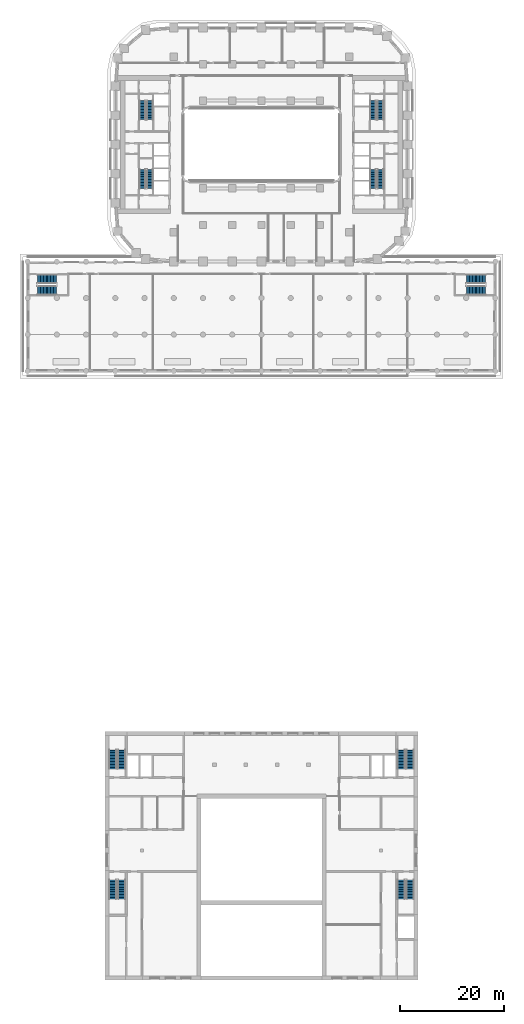
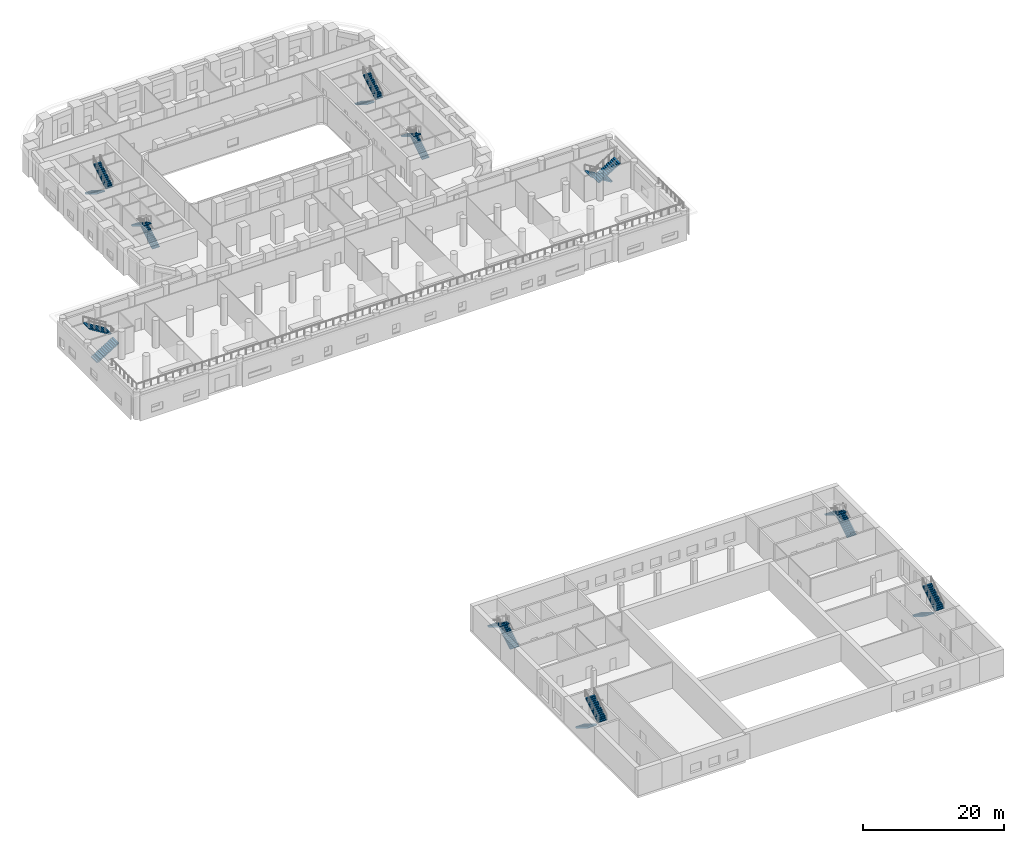
# One storey, part 14 of 23: 20 stair flights, 10 elements without a shape of their own.
"""IFC4 building model written with IfcOpenShell, lengths in metres."""

from ifc_helpers import new_model, si_unit, direction, frame, origin, place, context, subcontext, project, spatial, polyline, outline, extrude, material, type_object, element, aggregate, save


model = new_model("IFC4")

# Units and contexts
model_context = context("Model", 3, precision=1e-05, world=origin(), true_north=direction((0.0, 1.0)))
body_context = subcontext(model_context, "Body", "Model", "MODEL_VIEW")
ifc_project = project(units=[si_unit("LENGTHUNIT", "METRE"), si_unit("AREAUNIT", "SQUARE_METRE"), si_unit("VOLUMEUNIT", "CUBIC_METRE"), si_unit("PLANEANGLEUNIT", "RADIAN"), si_unit("MASSUNIT", "GRAM", prefix="KILO")], contexts=[model_context])

# Site, building, storey
site_placement = place(None, origin())
site = spatial("IfcSite", under=ifc_project, at=site_placement, CompositionType="ELEMENT")
building_placement = place(site_placement, origin())
building = spatial("IfcBuilding", under=site, at=building_placement, Name="Kiln Ring Residences", CompositionType="ELEMENT")
storey_placement = place(building_placement, frame((0.0, 0.0, 16.10009765625)))
storey = spatial("IfcBuildingStorey", under=building, at=storey_placement, Name="L03", CompositionType="ELEMENT", Elevation=16.10009765625)

# Stair, stair flights
ifc_material_1 = material(Name="Concrete C40/50", Category="concrete")
stair_type_1 = type_object("IfcStairType", Name="CORE-STAIR", PredefinedType="HALF_TURN_STAIR", material=ifc_material_1)
placement = place(storey_placement, origin())
stair_1 = element("IfcStair", 1, at=placement, inside=storey, type_object=stair_type_1, Name="L03 stair W-STN", PredefinedType="HALF_TURN_STAIR")
ifc_material_2 = material(Name="Concrete C40/50", Category="concrete")
stair_flight_type_1 = type_object("IfcStairFlightType", Name="CORE-STAIR-FLIGHT", PredefinedType="STRAIGHT", material=ifc_material_2)
stair_flight_1_placement = place(storey_placement, frame((-22.800048828125, 8.39990234375, 0.0), z_axis=(0.0, 0.0, 1.0), x_axis=(0.0, -1.0, 0.0)))
stair_flight_1 = element("IfcStairFlight", 2, at=stair_flight_1_placement, type_object=stair_flight_type_1, Name="W-STN flight 1", NumberOfRisers=14, NumberOfTreads=13, PredefinedType="STRAIGHT", RiserHeight=0.171428571, TreadLength=0.28, context=body_context, shape_type="SweptSolid", body=[
    extrude(outline(polyline([(0.0, 0.0), (0.0, 0.17138671875), (0.280029296875, 0.17138671875), (0.280029296875, 0.3427734375), (0.56005859375, 0.3427734375), (0.56005859375, 0.514404296875), (0.840087890625, 0.514404296875), (0.840087890625, 0.685791015625), (1.1201171875, 0.685791015625), (1.1201171875, 0.857177734375), (1.39990234375, 0.857177734375), (1.39990234375, 1.028564453125), (1.679931640625, 1.028564453125), (1.679931640625, 1.199951171875), (1.9599609375, 1.199951171875), (1.9599609375, 1.371337890625), (2.239990234375, 1.371337890625), (2.239990234375, 1.54296875), (2.52001953125, 1.54296875), (2.52001953125, 1.71435546875), (2.800048828125, 1.71435546875), (2.800048828125, 1.8857421875), (3.080078125, 1.8857421875), (3.080078125, 2.05712890625), (3.360107421875, 2.05712890625), (3.360107421875, 2.228515625), (3.639892578125, 2.228515625), (3.639892578125, 2.39990234375), (3.639892578125, 2.052734375), (0.287109375, 0.0), (0.0, 0.0)])), frame((0.0, 0.60009765625, 0.0), z_axis=(0.0, -1.0, 0.0), x_axis=(1.0, 0.0, 0.0)), (0.0, 0.0, 1.0), 1.199951171875),
])
stair_flight_2_placement = place(storey_placement, frame((-21.39990234375, 4.760009765625, 2.39990234375), z_axis=(0.0, 0.0, 1.0), x_axis=(0.0, 1.0, 0.0)))
stair_flight_2 = element("IfcStairFlight", 3, at=stair_flight_2_placement, type_object=stair_flight_type_1, Name="W-STN flight 2", NumberOfRisers=14, NumberOfTreads=13, PredefinedType="STRAIGHT", RiserHeight=0.171428571, TreadLength=0.28, context=body_context, shape_type="SweptSolid", body=[
    extrude(outline(polyline([(0.0, 0.0), (0.0, 0.17138671875), (0.280029296875, 0.17138671875), (0.280029296875, 0.3427734375), (0.56005859375, 0.3427734375), (0.56005859375, 0.514404296875), (0.840087890625, 0.514404296875), (0.840087890625, 0.685791015625), (1.1201171875, 0.685791015625), (1.1201171875, 0.857177734375), (1.39990234375, 0.857177734375), (1.39990234375, 1.028564453125), (1.679931640625, 1.028564453125), (1.679931640625, 1.199951171875), (1.9599609375, 1.199951171875), (1.9599609375, 1.371337890625), (2.239990234375, 1.371337890625), (2.239990234375, 1.54296875), (2.52001953125, 1.54296875), (2.52001953125, 1.71435546875), (2.800048828125, 1.71435546875), (2.800048828125, 1.8857421875), (3.080078125, 1.8857421875), (3.080078125, 2.05712890625), (3.360107421875, 2.05712890625), (3.360107421875, 2.228515625), (3.639892578125, 2.228515625), (3.639892578125, 2.39990234375), (3.639892578125, 2.052734375), (0.287109375, 0.0), (0.0, 0.0)])), frame((0.0, 0.60009765625, 0.0), z_axis=(0.0, -1.0, 0.0), x_axis=(1.0, 0.0, 0.0)), (0.0, 0.0, 1.0), 1.199951171875),
])
aggregate(stair_1, [stair_flight_1, stair_flight_2])

stair_2 = element("IfcStair", 4, at=placement, inside=storey, type_object=stair_type_1, Name="L03 stair W-STS", PredefinedType="HALF_TURN_STAIR")
stair_flight_3_placement = place(storey_placement, frame((-21.39990234375, -8.39990234375, 0.0), z_axis=(0.0, 0.0, 1.0), x_axis=(0.0, 1.0, 0.0)))
stair_flight_3 = element("IfcStairFlight", 5, at=stair_flight_3_placement, type_object=stair_flight_type_1, Name="W-STS flight 1", NumberOfRisers=14, NumberOfTreads=13, PredefinedType="STRAIGHT", RiserHeight=0.171428571, TreadLength=0.28, context=body_context, shape_type="SweptSolid", body=[
    extrude(outline(polyline([(0.0, 0.0), (0.0, 0.17138671875), (0.280029296875, 0.17138671875), (0.280029296875, 0.3427734375), (0.56005859375, 0.3427734375), (0.56005859375, 0.514404296875), (0.840087890625, 0.514404296875), (0.840087890625, 0.685791015625), (1.1201171875, 0.685791015625), (1.1201171875, 0.857177734375), (1.39990234375, 0.857177734375), (1.39990234375, 1.028564453125), (1.679931640625, 1.028564453125), (1.679931640625, 1.199951171875), (1.9599609375, 1.199951171875), (1.9599609375, 1.371337890625), (2.239990234375, 1.371337890625), (2.239990234375, 1.54296875), (2.52001953125, 1.54296875), (2.52001953125, 1.71435546875), (2.800048828125, 1.71435546875), (2.800048828125, 1.8857421875), (3.080078125, 1.8857421875), (3.080078125, 2.05712890625), (3.360107421875, 2.05712890625), (3.360107421875, 2.228515625), (3.639892578125, 2.228515625), (3.639892578125, 2.39990234375), (3.639892578125, 2.052734375), (0.287109375, 0.0), (0.0, 0.0)])), frame((0.0, 0.60009765625, 0.0), z_axis=(0.0, -1.0, 0.0), x_axis=(1.0, 0.0, 0.0)), (0.0, 0.0, 1.0), 1.199951171875),
])
stair_flight_4_placement = place(storey_placement, frame((-22.800048828125, -4.760009765625, 2.39990234375), z_axis=(0.0, 0.0, 1.0), x_axis=(0.0, -1.0, 0.0)))
stair_flight_4 = element("IfcStairFlight", 6, at=stair_flight_4_placement, type_object=stair_flight_type_1, Name="W-STS flight 2", NumberOfRisers=14, NumberOfTreads=13, PredefinedType="STRAIGHT", RiserHeight=0.171428571, TreadLength=0.28, context=body_context, shape_type="SweptSolid", body=[
    extrude(outline(polyline([(0.0, 0.0), (0.0, 0.17138671875), (0.280029296875, 0.17138671875), (0.280029296875, 0.3427734375), (0.56005859375, 0.3427734375), (0.56005859375, 0.514404296875), (0.840087890625, 0.514404296875), (0.840087890625, 0.685791015625), (1.1201171875, 0.685791015625), (1.1201171875, 0.857177734375), (1.39990234375, 0.857177734375), (1.39990234375, 1.028564453125), (1.679931640625, 1.028564453125), (1.679931640625, 1.199951171875), (1.9599609375, 1.199951171875), (1.9599609375, 1.371337890625), (2.239990234375, 1.371337890625), (2.239990234375, 1.54296875), (2.52001953125, 1.54296875), (2.52001953125, 1.71435546875), (2.800048828125, 1.71435546875), (2.800048828125, 1.8857421875), (3.080078125, 1.8857421875), (3.080078125, 2.05712890625), (3.360107421875, 2.05712890625), (3.360107421875, 2.228515625), (3.639892578125, 2.228515625), (3.639892578125, 2.39990234375), (3.639892578125, 2.052734375), (0.287109375, 0.0), (0.0, 0.0)])), frame((0.0, 0.60009765625, 0.0), z_axis=(0.0, -1.0, 0.0), x_axis=(1.0, 0.0, 0.0)), (0.0, 0.0, 1.0), 1.199951171875),
])
aggregate(stair_2, [stair_flight_3, stair_flight_4])

stair_3 = element("IfcStair", 7, at=placement, inside=storey, type_object=stair_type_1, Name="L03 stair E-STN", PredefinedType="HALF_TURN_STAIR")
stair_flight_5_placement = place(storey_placement, frame((21.39990234375, 8.39990234375, 0.0), z_axis=(0.0, 0.0, 1.0), x_axis=(0.0, -1.0, 0.0)))
stair_flight_5 = element("IfcStairFlight", 8, at=stair_flight_5_placement, type_object=stair_flight_type_1, Name="E-STN flight 1", NumberOfRisers=14, NumberOfTreads=13, PredefinedType="STRAIGHT", RiserHeight=0.171428571, TreadLength=0.28, context=body_context, shape_type="SweptSolid", body=[
    extrude(outline(polyline([(0.0, 0.0), (0.0, 0.17138671875), (0.280029296875, 0.17138671875), (0.280029296875, 0.3427734375), (0.56005859375, 0.3427734375), (0.56005859375, 0.514404296875), (0.840087890625, 0.514404296875), (0.840087890625, 0.685791015625), (1.1201171875, 0.685791015625), (1.1201171875, 0.857177734375), (1.39990234375, 0.857177734375), (1.39990234375, 1.028564453125), (1.679931640625, 1.028564453125), (1.679931640625, 1.199951171875), (1.9599609375, 1.199951171875), (1.9599609375, 1.371337890625), (2.239990234375, 1.371337890625), (2.239990234375, 1.54296875), (2.52001953125, 1.54296875), (2.52001953125, 1.71435546875), (2.800048828125, 1.71435546875), (2.800048828125, 1.8857421875), (3.080078125, 1.8857421875), (3.080078125, 2.05712890625), (3.360107421875, 2.05712890625), (3.360107421875, 2.228515625), (3.639892578125, 2.228515625), (3.639892578125, 2.39990234375), (3.639892578125, 2.052734375), (0.287109375, 0.0), (0.0, 0.0)])), frame((0.0, 0.60009765625, 0.0), z_axis=(0.0, -1.0, 0.0), x_axis=(1.0, 0.0, 0.0)), (0.0, 0.0, 1.0), 1.199951171875),
])
stair_flight_6_placement = place(storey_placement, frame((22.800048828125, 4.760009765625, 2.39990234375), z_axis=(0.0, 0.0, 1.0), x_axis=(0.0, 1.0, 0.0)))
stair_flight_6 = element("IfcStairFlight", 9, at=stair_flight_6_placement, type_object=stair_flight_type_1, Name="E-STN flight 2", NumberOfRisers=14, NumberOfTreads=13, PredefinedType="STRAIGHT", RiserHeight=0.171428571, TreadLength=0.28, context=body_context, shape_type="SweptSolid", body=[
    extrude(outline(polyline([(0.0, 0.0), (0.0, 0.17138671875), (0.280029296875, 0.17138671875), (0.280029296875, 0.3427734375), (0.56005859375, 0.3427734375), (0.56005859375, 0.514404296875), (0.840087890625, 0.514404296875), (0.840087890625, 0.685791015625), (1.1201171875, 0.685791015625), (1.1201171875, 0.857177734375), (1.39990234375, 0.857177734375), (1.39990234375, 1.028564453125), (1.679931640625, 1.028564453125), (1.679931640625, 1.199951171875), (1.9599609375, 1.199951171875), (1.9599609375, 1.371337890625), (2.239990234375, 1.371337890625), (2.239990234375, 1.54296875), (2.52001953125, 1.54296875), (2.52001953125, 1.71435546875), (2.800048828125, 1.71435546875), (2.800048828125, 1.8857421875), (3.080078125, 1.8857421875), (3.080078125, 2.05712890625), (3.360107421875, 2.05712890625), (3.360107421875, 2.228515625), (3.639892578125, 2.228515625), (3.639892578125, 2.39990234375), (3.639892578125, 2.052734375), (0.287109375, 0.0), (0.0, 0.0)])), frame((0.0, 0.60009765625, 0.0), z_axis=(0.0, -1.0, 0.0), x_axis=(1.0, 0.0, 0.0)), (0.0, 0.0, 1.0), 1.199951171875),
])
aggregate(stair_3, [stair_flight_5, stair_flight_6])

stair_4 = element("IfcStair", 10, at=placement, inside=storey, type_object=stair_type_1, Name="L03 stair E-STS", PredefinedType="HALF_TURN_STAIR")
stair_flight_7_placement = place(storey_placement, frame((22.800048828125, -8.39990234375, 0.0), z_axis=(0.0, 0.0, 1.0), x_axis=(0.0, 1.0, 0.0)))
stair_flight_7 = element("IfcStairFlight", 11, at=stair_flight_7_placement, type_object=stair_flight_type_1, Name="E-STS flight 1", NumberOfRisers=14, NumberOfTreads=13, PredefinedType="STRAIGHT", RiserHeight=0.171428571, TreadLength=0.28, context=body_context, shape_type="SweptSolid", body=[
    extrude(outline(polyline([(0.0, 0.0), (0.0, 0.17138671875), (0.280029296875, 0.17138671875), (0.280029296875, 0.3427734375), (0.56005859375, 0.3427734375), (0.56005859375, 0.514404296875), (0.840087890625, 0.514404296875), (0.840087890625, 0.685791015625), (1.1201171875, 0.685791015625), (1.1201171875, 0.857177734375), (1.39990234375, 0.857177734375), (1.39990234375, 1.028564453125), (1.679931640625, 1.028564453125), (1.679931640625, 1.199951171875), (1.9599609375, 1.199951171875), (1.9599609375, 1.371337890625), (2.239990234375, 1.371337890625), (2.239990234375, 1.54296875), (2.52001953125, 1.54296875), (2.52001953125, 1.71435546875), (2.800048828125, 1.71435546875), (2.800048828125, 1.8857421875), (3.080078125, 1.8857421875), (3.080078125, 2.05712890625), (3.360107421875, 2.05712890625), (3.360107421875, 2.228515625), (3.639892578125, 2.228515625), (3.639892578125, 2.39990234375), (3.639892578125, 2.052734375), (0.287109375, 0.0), (0.0, 0.0)])), frame((0.0, 0.60009765625, 0.0), z_axis=(0.0, -1.0, 0.0), x_axis=(1.0, 0.0, 0.0)), (0.0, 0.0, 1.0), 1.199951171875),
])
stair_flight_8_placement = place(storey_placement, frame((21.39990234375, -4.760009765625, 2.39990234375), z_axis=(0.0, 0.0, 1.0), x_axis=(0.0, -1.0, 0.0)))
stair_flight_8 = element("IfcStairFlight", 12, at=stair_flight_8_placement, type_object=stair_flight_type_1, Name="E-STS flight 2", NumberOfRisers=14, NumberOfTreads=13, PredefinedType="STRAIGHT", RiserHeight=0.171428571, TreadLength=0.28, context=body_context, shape_type="SweptSolid", body=[
    extrude(outline(polyline([(0.0, 0.0), (0.0, 0.17138671875), (0.280029296875, 0.17138671875), (0.280029296875, 0.3427734375), (0.56005859375, 0.3427734375), (0.56005859375, 0.514404296875), (0.840087890625, 0.514404296875), (0.840087890625, 0.685791015625), (1.1201171875, 0.685791015625), (1.1201171875, 0.857177734375), (1.39990234375, 0.857177734375), (1.39990234375, 1.028564453125), (1.679931640625, 1.028564453125), (1.679931640625, 1.199951171875), (1.9599609375, 1.199951171875), (1.9599609375, 1.371337890625), (2.239990234375, 1.371337890625), (2.239990234375, 1.54296875), (2.52001953125, 1.54296875), (2.52001953125, 1.71435546875), (2.800048828125, 1.71435546875), (2.800048828125, 1.8857421875), (3.080078125, 1.8857421875), (3.080078125, 2.05712890625), (3.360107421875, 2.05712890625), (3.360107421875, 2.228515625), (3.639892578125, 2.228515625), (3.639892578125, 2.39990234375), (3.639892578125, 2.052734375), (0.287109375, 0.0), (0.0, 0.0)])), frame((0.0, 0.60009765625, 0.0), z_axis=(0.0, -1.0, 0.0), x_axis=(1.0, 0.0, 0.0)), (0.0, 0.0, 1.0), 1.199951171875),
])
aggregate(stair_4, [stair_flight_7, stair_flight_8])

ifc_material_3 = material(Name="Concrete C40/50", Category="concrete")
stair_type_2 = type_object("IfcStairType", Name="Hall reinforced concrete stair", PredefinedType="HALF_TURN_STAIR", material=ifc_material_3)
stair_5 = element("IfcStair", 13, at=placement, inside=storey, type_object=stair_type_2, Name="L03 Hall stair ST1", PredefinedType="HALF_TURN_STAIR")
ifc_material_4 = material(Name="Concrete C40/50", Category="concrete")
stair_flight_type_2 = type_object("IfcStairFlightType", Name="Hall reinforced concrete stair flight", PredefinedType="STRAIGHT", material=ifc_material_4)
stair_flight_9_placement = place(storey_placement, frame((-26.800048828125, -119.550048828125, 0.0), z_axis=(0.0, 0.0, 1.0), x_axis=(0.0, 1.0, 0.0)))
stair_flight_9 = element("IfcStairFlight", 14, at=stair_flight_9_placement, type_object=stair_flight_type_2, Name="HALL.ST1 flight 1", NumberOfRisers=14, NumberOfTreads=13, PredefinedType="STRAIGHT", RiserHeight=0.171428571, TreadLength=0.28, context=body_context, shape_type="SweptSolid", body=[
    extrude(outline(polyline([(0.0, 0.0), (0.0, 0.17138671875), (0.280029296875, 0.17138671875), (0.280029296875, 0.3427734375), (0.56005859375, 0.3427734375), (0.56005859375, 0.514404296875), (0.840087890625, 0.514404296875), (0.840087890625, 0.685791015625), (1.1201171875, 0.685791015625), (1.1201171875, 0.857177734375), (1.39990234375, 0.857177734375), (1.39990234375, 1.028564453125), (1.679931640625, 1.028564453125), (1.679931640625, 1.199951171875), (1.9599609375, 1.199951171875), (1.9599609375, 1.371337890625), (2.239990234375, 1.371337890625), (2.239990234375, 1.54296875), (2.52001953125, 1.54296875), (2.52001953125, 1.71435546875), (2.800048828125, 1.71435546875), (2.800048828125, 1.8857421875), (3.080078125, 1.8857421875), (3.080078125, 2.05712890625), (3.360107421875, 2.05712890625), (3.360107421875, 2.228515625), (3.639892578125, 2.228515625), (3.639892578125, 2.39990234375), (3.639892578125, 2.052734375), (0.287109375, 0.0), (0.0, 0.0)])), frame((0.0, 0.75, 0.0), z_axis=(0.0, -1.0, 0.0), x_axis=(1.0, 0.0, 0.0)), (0.0, 0.0, 1.0), 1.5),
])
stair_flight_10_placement = place(storey_placement, frame((-28.449951171875, -115.909912109375, 2.39990234375), z_axis=(0.0, 0.0, 1.0), x_axis=(0.0, -1.0, 0.0)))
stair_flight_10 = element("IfcStairFlight", 15, at=stair_flight_10_placement, type_object=stair_flight_type_2, Name="HALL.ST1 flight 2", NumberOfRisers=14, NumberOfTreads=13, PredefinedType="STRAIGHT", RiserHeight=0.171428571, TreadLength=0.28, context=body_context, shape_type="SweptSolid", body=[
    extrude(outline(polyline([(0.0, 0.0), (0.0, 0.17138671875), (0.280029296875, 0.17138671875), (0.280029296875, 0.3427734375), (0.56005859375, 0.3427734375), (0.56005859375, 0.514404296875), (0.840087890625, 0.514404296875), (0.840087890625, 0.685791015625), (1.1201171875, 0.685791015625), (1.1201171875, 0.857177734375), (1.39990234375, 0.857177734375), (1.39990234375, 1.028564453125), (1.679931640625, 1.028564453125), (1.679931640625, 1.199951171875), (1.9599609375, 1.199951171875), (1.9599609375, 1.371337890625), (2.239990234375, 1.371337890625), (2.239990234375, 1.54296875), (2.52001953125, 1.54296875), (2.52001953125, 1.71435546875), (2.800048828125, 1.71435546875), (2.800048828125, 1.8857421875), (3.080078125, 1.8857421875), (3.080078125, 2.05712890625), (3.360107421875, 2.05712890625), (3.360107421875, 2.228515625), (3.639892578125, 2.228515625), (3.639892578125, 2.39990234375), (3.639892578125, 2.052734375), (0.287109375, 0.0), (0.0, 0.0)])), frame((0.0, 0.75, 0.0), z_axis=(0.0, -1.0, 0.0), x_axis=(1.0, 0.0, 0.0)), (0.0, 0.0, 1.0), 1.5),
])
aggregate(stair_5, [stair_flight_9, stair_flight_10])

stair_6 = element("IfcStair", 16, at=placement, inside=storey, type_object=stair_type_2, Name="L03 Hall stair ST2", PredefinedType="HALF_TURN_STAIR")
stair_flight_11_placement = place(storey_placement, frame((28.449951171875, -119.550048828125, 0.0), z_axis=(0.0, 0.0, 1.0), x_axis=(0.0, 1.0, 0.0)))
stair_flight_11 = element("IfcStairFlight", 17, at=stair_flight_11_placement, type_object=stair_flight_type_2, Name="HALL.ST2 flight 1", NumberOfRisers=14, NumberOfTreads=13, PredefinedType="STRAIGHT", RiserHeight=0.171428571, TreadLength=0.28, context=body_context, shape_type="SweptSolid", body=[
    extrude(outline(polyline([(0.0, 0.0), (0.0, 0.17138671875), (0.280029296875, 0.17138671875), (0.280029296875, 0.3427734375), (0.56005859375, 0.3427734375), (0.56005859375, 0.514404296875), (0.840087890625, 0.514404296875), (0.840087890625, 0.685791015625), (1.1201171875, 0.685791015625), (1.1201171875, 0.857177734375), (1.39990234375, 0.857177734375), (1.39990234375, 1.028564453125), (1.679931640625, 1.028564453125), (1.679931640625, 1.199951171875), (1.9599609375, 1.199951171875), (1.9599609375, 1.371337890625), (2.239990234375, 1.371337890625), (2.239990234375, 1.54296875), (2.52001953125, 1.54296875), (2.52001953125, 1.71435546875), (2.800048828125, 1.71435546875), (2.800048828125, 1.8857421875), (3.080078125, 1.8857421875), (3.080078125, 2.05712890625), (3.360107421875, 2.05712890625), (3.360107421875, 2.228515625), (3.639892578125, 2.228515625), (3.639892578125, 2.39990234375), (3.639892578125, 2.052734375), (0.287109375, 0.0), (0.0, 0.0)])), frame((0.0, 0.75, 0.0), z_axis=(0.0, -1.0, 0.0), x_axis=(1.0, 0.0, 0.0)), (0.0, 0.0, 1.0), 1.5),
])
stair_flight_12_placement = place(storey_placement, frame((26.800048828125, -115.909912109375, 2.39990234375), z_axis=(0.0, 0.0, 1.0), x_axis=(0.0, -1.0, 0.0)))
stair_flight_12 = element("IfcStairFlight", 18, at=stair_flight_12_placement, type_object=stair_flight_type_2, Name="HALL.ST2 flight 2", NumberOfRisers=14, NumberOfTreads=13, PredefinedType="STRAIGHT", RiserHeight=0.171428571, TreadLength=0.28, context=body_context, shape_type="SweptSolid", body=[
    extrude(outline(polyline([(0.0, 0.0), (0.0, 0.17138671875), (0.280029296875, 0.17138671875), (0.280029296875, 0.3427734375), (0.56005859375, 0.3427734375), (0.56005859375, 0.514404296875), (0.840087890625, 0.514404296875), (0.840087890625, 0.685791015625), (1.1201171875, 0.685791015625), (1.1201171875, 0.857177734375), (1.39990234375, 0.857177734375), (1.39990234375, 1.028564453125), (1.679931640625, 1.028564453125), (1.679931640625, 1.199951171875), (1.9599609375, 1.199951171875), (1.9599609375, 1.371337890625), (2.239990234375, 1.371337890625), (2.239990234375, 1.54296875), (2.52001953125, 1.54296875), (2.52001953125, 1.71435546875), (2.800048828125, 1.71435546875), (2.800048828125, 1.8857421875), (3.080078125, 1.8857421875), (3.080078125, 2.05712890625), (3.360107421875, 2.05712890625), (3.360107421875, 2.228515625), (3.639892578125, 2.228515625), (3.639892578125, 2.39990234375), (3.639892578125, 2.052734375), (0.287109375, 0.0), (0.0, 0.0)])), frame((0.0, 0.75, 0.0), z_axis=(0.0, -1.0, 0.0), x_axis=(1.0, 0.0, 0.0)), (0.0, 0.0, 1.0), 1.5),
])
aggregate(stair_6, [stair_flight_11, stair_flight_12])

stair_7 = element("IfcStair", 19, at=placement, inside=storey, type_object=stair_type_2, Name="L03 Hall stair ST3", PredefinedType="HALF_TURN_STAIR")
stair_flight_13_placement = place(storey_placement, frame((-28.449951171875, -140.85009765625, 0.0), z_axis=(0.0, 0.0, 1.0), x_axis=(0.0, -1.0, 0.0)))
stair_flight_13 = element("IfcStairFlight", 20, at=stair_flight_13_placement, type_object=stair_flight_type_2, Name="HALL.ST3 flight 1", NumberOfRisers=14, NumberOfTreads=13, PredefinedType="STRAIGHT", RiserHeight=0.171428571, TreadLength=0.28, context=body_context, shape_type="SweptSolid", body=[
    extrude(outline(polyline([(0.0, 0.0), (0.0, 0.17138671875), (0.280029296875, 0.17138671875), (0.280029296875, 0.3427734375), (0.56005859375, 0.3427734375), (0.56005859375, 0.514404296875), (0.840087890625, 0.514404296875), (0.840087890625, 0.685791015625), (1.1201171875, 0.685791015625), (1.1201171875, 0.857177734375), (1.39990234375, 0.857177734375), (1.39990234375, 1.028564453125), (1.679931640625, 1.028564453125), (1.679931640625, 1.199951171875), (1.9599609375, 1.199951171875), (1.9599609375, 1.371337890625), (2.239990234375, 1.371337890625), (2.239990234375, 1.54296875), (2.52001953125, 1.54296875), (2.52001953125, 1.71435546875), (2.800048828125, 1.71435546875), (2.800048828125, 1.8857421875), (3.080078125, 1.8857421875), (3.080078125, 2.05712890625), (3.360107421875, 2.05712890625), (3.360107421875, 2.228515625), (3.639892578125, 2.228515625), (3.639892578125, 2.39990234375), (3.639892578125, 2.052734375), (0.287109375, 0.0), (0.0, 0.0)])), frame((0.0, 0.75, 0.0), z_axis=(0.0, -1.0, 0.0), x_axis=(1.0, 0.0, 0.0)), (0.0, 0.0, 1.0), 1.5),
])
stair_flight_14_placement = place(storey_placement, frame((-26.800048828125, -144.489990234375, 2.39990234375), z_axis=(0.0, 0.0, 1.0), x_axis=(0.0, 1.0, 0.0)))
stair_flight_14 = element("IfcStairFlight", 21, at=stair_flight_14_placement, type_object=stair_flight_type_2, Name="HALL.ST3 flight 2", NumberOfRisers=14, NumberOfTreads=13, PredefinedType="STRAIGHT", RiserHeight=0.171428571, TreadLength=0.28, context=body_context, shape_type="SweptSolid", body=[
    extrude(outline(polyline([(0.0, 0.0), (0.0, 0.17138671875), (0.280029296875, 0.17138671875), (0.280029296875, 0.3427734375), (0.56005859375, 0.3427734375), (0.56005859375, 0.514404296875), (0.840087890625, 0.514404296875), (0.840087890625, 0.685791015625), (1.1201171875, 0.685791015625), (1.1201171875, 0.857177734375), (1.39990234375, 0.857177734375), (1.39990234375, 1.028564453125), (1.679931640625, 1.028564453125), (1.679931640625, 1.199951171875), (1.9599609375, 1.199951171875), (1.9599609375, 1.371337890625), (2.239990234375, 1.371337890625), (2.239990234375, 1.54296875), (2.52001953125, 1.54296875), (2.52001953125, 1.71435546875), (2.800048828125, 1.71435546875), (2.800048828125, 1.8857421875), (3.080078125, 1.8857421875), (3.080078125, 2.05712890625), (3.360107421875, 2.05712890625), (3.360107421875, 2.228515625), (3.639892578125, 2.228515625), (3.639892578125, 2.39990234375), (3.639892578125, 2.052734375), (0.287109375, 0.0), (0.0, 0.0)])), frame((0.0, 0.75, 0.0), z_axis=(0.0, -1.0, 0.0), x_axis=(1.0, 0.0, 0.0)), (0.0, 0.0, 1.0), 1.5),
])
aggregate(stair_7, [stair_flight_13, stair_flight_14])

stair_8 = element("IfcStair", 22, at=placement, inside=storey, type_object=stair_type_2, Name="L03 Hall stair ST4", PredefinedType="HALF_TURN_STAIR")
stair_flight_15_placement = place(storey_placement, frame((26.800048828125, -140.85009765625, 0.0), z_axis=(0.0, 0.0, 1.0), x_axis=(0.0, -1.0, 0.0)))
stair_flight_15 = element("IfcStairFlight", 23, at=stair_flight_15_placement, type_object=stair_flight_type_2, Name="HALL.ST4 flight 1", NumberOfRisers=14, NumberOfTreads=13, PredefinedType="STRAIGHT", RiserHeight=0.171428571, TreadLength=0.28, context=body_context, shape_type="SweptSolid", body=[
    extrude(outline(polyline([(0.0, 0.0), (0.0, 0.17138671875), (0.280029296875, 0.17138671875), (0.280029296875, 0.3427734375), (0.56005859375, 0.3427734375), (0.56005859375, 0.514404296875), (0.840087890625, 0.514404296875), (0.840087890625, 0.685791015625), (1.1201171875, 0.685791015625), (1.1201171875, 0.857177734375), (1.39990234375, 0.857177734375), (1.39990234375, 1.028564453125), (1.679931640625, 1.028564453125), (1.679931640625, 1.199951171875), (1.9599609375, 1.199951171875), (1.9599609375, 1.371337890625), (2.239990234375, 1.371337890625), (2.239990234375, 1.54296875), (2.52001953125, 1.54296875), (2.52001953125, 1.71435546875), (2.800048828125, 1.71435546875), (2.800048828125, 1.8857421875), (3.080078125, 1.8857421875), (3.080078125, 2.05712890625), (3.360107421875, 2.05712890625), (3.360107421875, 2.228515625), (3.639892578125, 2.228515625), (3.639892578125, 2.39990234375), (3.639892578125, 2.052734375), (0.287109375, 0.0), (0.0, 0.0)])), frame((0.0, 0.75, 0.0), z_axis=(0.0, -1.0, 0.0), x_axis=(1.0, 0.0, 0.0)), (0.0, 0.0, 1.0), 1.5),
])
stair_flight_16_placement = place(storey_placement, frame((28.449951171875, -144.489990234375, 2.39990234375), z_axis=(0.0, 0.0, 1.0), x_axis=(0.0, 1.0, 0.0)))
stair_flight_16 = element("IfcStairFlight", 24, at=stair_flight_16_placement, type_object=stair_flight_type_2, Name="HALL.ST4 flight 2", NumberOfRisers=14, NumberOfTreads=13, PredefinedType="STRAIGHT", RiserHeight=0.171428571, TreadLength=0.28, context=body_context, shape_type="SweptSolid", body=[
    extrude(outline(polyline([(0.0, 0.0), (0.0, 0.17138671875), (0.280029296875, 0.17138671875), (0.280029296875, 0.3427734375), (0.56005859375, 0.3427734375), (0.56005859375, 0.514404296875), (0.840087890625, 0.514404296875), (0.840087890625, 0.685791015625), (1.1201171875, 0.685791015625), (1.1201171875, 0.857177734375), (1.39990234375, 0.857177734375), (1.39990234375, 1.028564453125), (1.679931640625, 1.028564453125), (1.679931640625, 1.199951171875), (1.9599609375, 1.199951171875), (1.9599609375, 1.371337890625), (2.239990234375, 1.371337890625), (2.239990234375, 1.54296875), (2.52001953125, 1.54296875), (2.52001953125, 1.71435546875), (2.800048828125, 1.71435546875), (2.800048828125, 1.8857421875), (3.080078125, 1.8857421875), (3.080078125, 2.05712890625), (3.360107421875, 2.05712890625), (3.360107421875, 2.228515625), (3.639892578125, 2.228515625), (3.639892578125, 2.39990234375), (3.639892578125, 2.052734375), (0.287109375, 0.0), (0.0, 0.0)])), frame((0.0, 0.75, 0.0), z_axis=(0.0, -1.0, 0.0), x_axis=(1.0, 0.0, 0.0)), (0.0, 0.0, 1.0), 1.5),
])
aggregate(stair_8, [stair_flight_15, stair_flight_16])

ifc_material_5 = material(Name="Concrete C40/50", Category="concrete")
stair_type_3 = type_object("IfcStairType", Name="PODIUM-STAIR", PredefinedType="HALF_TURN_STAIR", material=ifc_material_5)
stair_9 = element("IfcStair", 25, at=placement, inside=storey, type_object=stair_type_3, Name="L03 exit stair PS-W", PredefinedType="HALF_TURN_STAIR")
ifc_material_6 = material(Name="Concrete C40/50", Category="concrete")
stair_flight_type_3 = type_object("IfcStairFlightType", Name="PODIUM-STAIR-FLIGHT", PredefinedType="STRAIGHT", material=ifc_material_6)
stair_flight_17_placement = place(storey_placement, frame((-42.89990234375, -27.949951171875, 0.0), z_axis=(0.0, 0.0, 1.0), x_axis=(1.0, 0.0, 0.0)))
stair_flight_17 = element("IfcStairFlight", 26, at=stair_flight_17_placement, type_object=stair_flight_type_3, Name="PS-W flight 1", NumberOfRisers=14, NumberOfTreads=13, PredefinedType="STRAIGHT", RiserHeight=0.171428571, TreadLength=0.28, context=body_context, shape_type="SweptSolid", body=[
    extrude(outline(polyline([(0.0, 0.0), (0.0, 0.17138671875), (0.280029296875, 0.17138671875), (0.280029296875, 0.3427734375), (0.56005859375, 0.3427734375), (0.56005859375, 0.514404296875), (0.840087890625, 0.514404296875), (0.840087890625, 0.685791015625), (1.1201171875, 0.685791015625), (1.1201171875, 0.857177734375), (1.39990234375, 0.857177734375), (1.39990234375, 1.028564453125), (1.679931640625, 1.028564453125), (1.679931640625, 1.199951171875), (1.9599609375, 1.199951171875), (1.9599609375, 1.371337890625), (2.239990234375, 1.371337890625), (2.239990234375, 1.54296875), (2.52001953125, 1.54296875), (2.52001953125, 1.71435546875), (2.800048828125, 1.71435546875), (2.800048828125, 1.8857421875), (3.080078125, 1.8857421875), (3.080078125, 2.05712890625), (3.360107421875, 2.05712890625), (3.360107421875, 2.228515625), (3.639892578125, 2.228515625), (3.639892578125, 2.39990234375), (3.639892578125, 2.052734375), (0.287109375, 0.0), (0.0, 0.0)])), frame((0.0, 0.85009765625, 0.0), z_axis=(0.0, -1.0, 0.0), x_axis=(1.0, 0.0, 0.0)), (0.0, 0.0, 1.0), 1.699951171875),
])
stair_flight_18_placement = place(storey_placement, frame((-39.260009765625, -25.75, 2.39990234375), z_axis=(0.0, 0.0, 1.0), x_axis=(-1.0, 0.0, 0.0)))
stair_flight_18 = element("IfcStairFlight", 27, at=stair_flight_18_placement, type_object=stair_flight_type_3, Name="PS-W flight 2", NumberOfRisers=14, NumberOfTreads=13, PredefinedType="STRAIGHT", RiserHeight=0.171428571, TreadLength=0.28, context=body_context, shape_type="SweptSolid", body=[
    extrude(outline(polyline([(0.0, 0.0), (0.0, 0.17138671875), (0.280029296875, 0.17138671875), (0.280029296875, 0.3427734375), (0.56005859375, 0.3427734375), (0.56005859375, 0.514404296875), (0.840087890625, 0.514404296875), (0.840087890625, 0.685791015625), (1.1201171875, 0.685791015625), (1.1201171875, 0.857177734375), (1.39990234375, 0.857177734375), (1.39990234375, 1.028564453125), (1.679931640625, 1.028564453125), (1.679931640625, 1.199951171875), (1.9599609375, 1.199951171875), (1.9599609375, 1.371337890625), (2.239990234375, 1.371337890625), (2.239990234375, 1.54296875), (2.52001953125, 1.54296875), (2.52001953125, 1.71435546875), (2.800048828125, 1.71435546875), (2.800048828125, 1.8857421875), (3.080078125, 1.8857421875), (3.080078125, 2.05712890625), (3.360107421875, 2.05712890625), (3.360107421875, 2.228515625), (3.639892578125, 2.228515625), (3.639892578125, 2.39990234375), (3.639892578125, 2.052734375), (0.287109375, 0.0), (0.0, 0.0)])), frame((0.0, 0.85009765625, 0.0), z_axis=(0.0, -1.0, 0.0), x_axis=(1.0, 0.0, 0.0)), (0.0, 0.0, 1.0), 1.699951171875),
])
aggregate(stair_9, [stair_flight_17, stair_flight_18])

stair_10 = element("IfcStair", 28, at=placement, inside=storey, type_object=stair_type_3, Name="L03 exit stair PS-E", PredefinedType="HALF_TURN_STAIR")
stair_flight_19_placement = place(storey_placement, frame((42.89990234375, -25.75, 0.0), z_axis=(0.0, 0.0, 1.0), x_axis=(-1.0, 0.0, 0.0)))
stair_flight_19 = element("IfcStairFlight", 29, at=stair_flight_19_placement, type_object=stair_flight_type_3, Name="PS-E flight 1", NumberOfRisers=14, NumberOfTreads=13, PredefinedType="STRAIGHT", RiserHeight=0.171428571, TreadLength=0.28, context=body_context, shape_type="SweptSolid", body=[
    extrude(outline(polyline([(0.0, 0.0), (0.0, 0.17138671875), (0.280029296875, 0.17138671875), (0.280029296875, 0.3427734375), (0.56005859375, 0.3427734375), (0.56005859375, 0.514404296875), (0.840087890625, 0.514404296875), (0.840087890625, 0.685791015625), (1.1201171875, 0.685791015625), (1.1201171875, 0.857177734375), (1.39990234375, 0.857177734375), (1.39990234375, 1.028564453125), (1.679931640625, 1.028564453125), (1.679931640625, 1.199951171875), (1.9599609375, 1.199951171875), (1.9599609375, 1.371337890625), (2.239990234375, 1.371337890625), (2.239990234375, 1.54296875), (2.52001953125, 1.54296875), (2.52001953125, 1.71435546875), (2.800048828125, 1.71435546875), (2.800048828125, 1.8857421875), (3.080078125, 1.8857421875), (3.080078125, 2.05712890625), (3.360107421875, 2.05712890625), (3.360107421875, 2.228515625), (3.639892578125, 2.228515625), (3.639892578125, 2.39990234375), (3.639892578125, 2.052734375), (0.287109375, 0.0), (0.0, 0.0)])), frame((0.0, 0.85009765625, 0.0), z_axis=(0.0, -1.0, 0.0), x_axis=(1.0, 0.0, 0.0)), (0.0, 0.0, 1.0), 1.699951171875),
])
stair_flight_20_placement = place(storey_placement, frame((39.260009765625, -27.949951171875, 2.39990234375), z_axis=(0.0, 0.0, 1.0), x_axis=(1.0, 0.0, 0.0)))
stair_flight_20 = element("IfcStairFlight", 30, at=stair_flight_20_placement, type_object=stair_flight_type_3, Name="PS-E flight 2", NumberOfRisers=14, NumberOfTreads=13, PredefinedType="STRAIGHT", RiserHeight=0.171428571, TreadLength=0.28, context=body_context, shape_type="SweptSolid", body=[
    extrude(outline(polyline([(0.0, 0.0), (0.0, 0.17138671875), (0.280029296875, 0.17138671875), (0.280029296875, 0.3427734375), (0.56005859375, 0.3427734375), (0.56005859375, 0.514404296875), (0.840087890625, 0.514404296875), (0.840087890625, 0.685791015625), (1.1201171875, 0.685791015625), (1.1201171875, 0.857177734375), (1.39990234375, 0.857177734375), (1.39990234375, 1.028564453125), (1.679931640625, 1.028564453125), (1.679931640625, 1.199951171875), (1.9599609375, 1.199951171875), (1.9599609375, 1.371337890625), (2.239990234375, 1.371337890625), (2.239990234375, 1.54296875), (2.52001953125, 1.54296875), (2.52001953125, 1.71435546875), (2.800048828125, 1.71435546875), (2.800048828125, 1.8857421875), (3.080078125, 1.8857421875), (3.080078125, 2.05712890625), (3.360107421875, 2.05712890625), (3.360107421875, 2.228515625), (3.639892578125, 2.228515625), (3.639892578125, 2.39990234375), (3.639892578125, 2.052734375), (0.287109375, 0.0), (0.0, 0.0)])), frame((0.0, 0.85009765625, 0.0), z_axis=(0.0, -1.0, 0.0), x_axis=(1.0, 0.0, 0.0)), (0.0, 0.0, 1.0), 1.699951171875),
])
aggregate(stair_10, [stair_flight_19, stair_flight_20])

save(model, "model.ifc")
